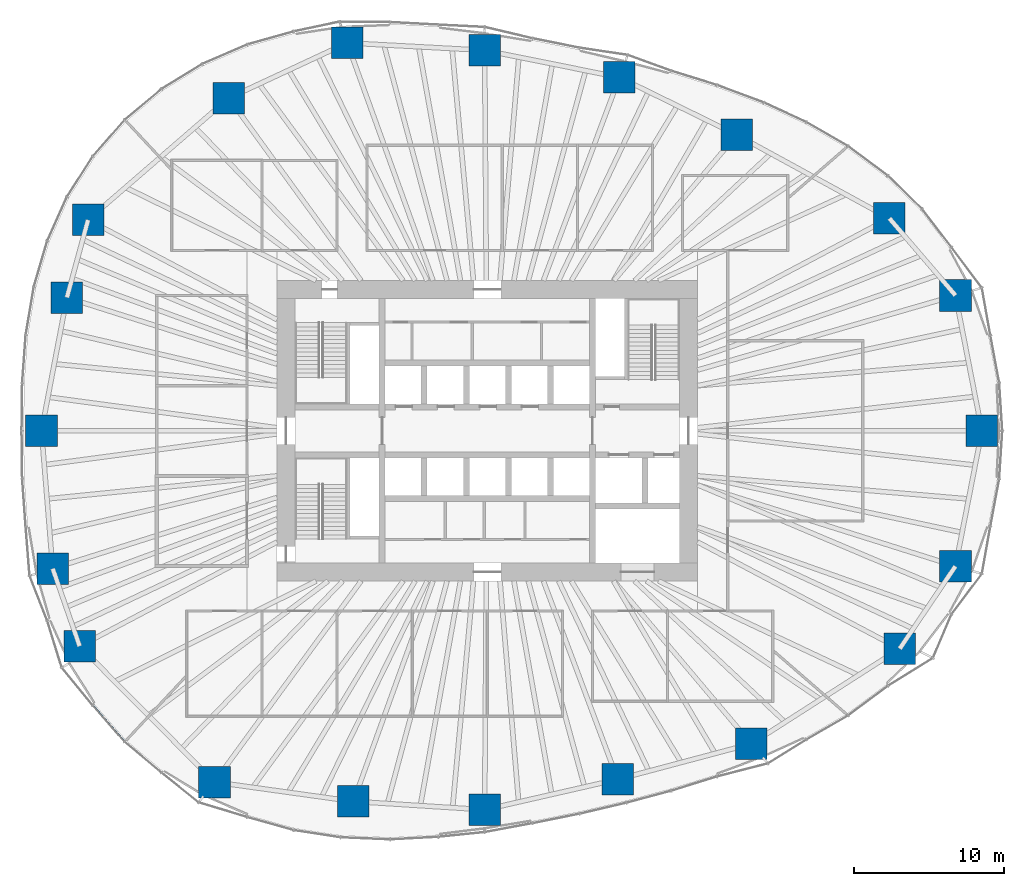
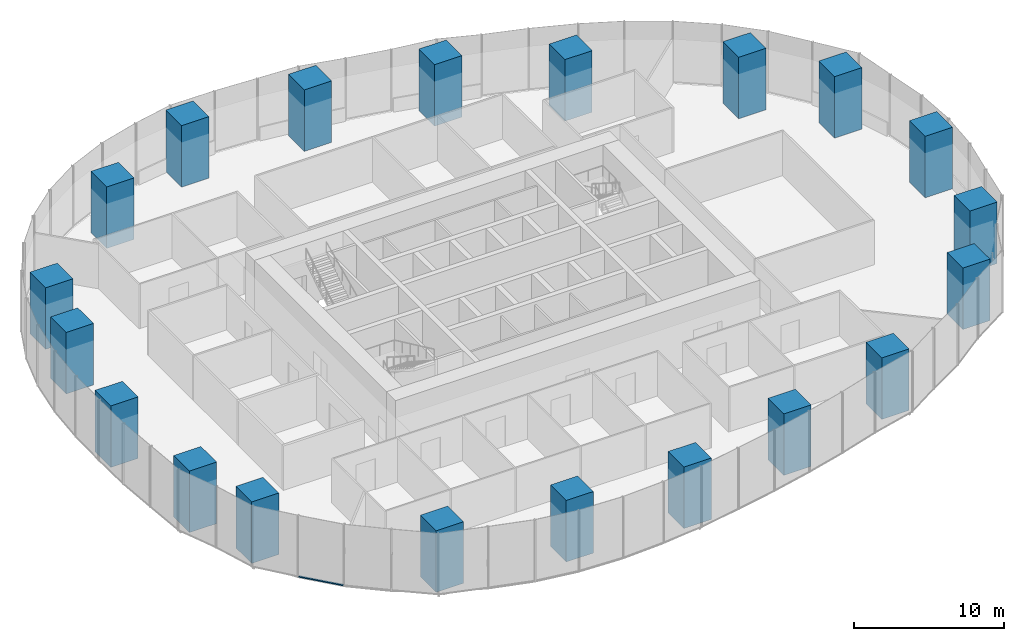
# One storey, part 1 of 20: 20 columns, 1 member, 1 element without a shape of its own.
"""IFC4 building model written with IfcOpenShell, lengths in metres."""

from ifc_helpers import new_model, si_unit, direction, frame, origin, origin_2d, place, context, subcontext, project, spatial, rectangle, extrude, material, material_profile, profile_set, type_object, element, aggregate, save


model = new_model("IFC4")

# Units and contexts
model_context = context("Model", 3, precision=1e-05, world=origin(), true_north=direction((0.0, 1.0)))
body_context = subcontext(model_context, "Body", "Model", "MODEL_VIEW")
ifc_project = project(units=[si_unit("LENGTHUNIT", "METRE"), si_unit("AREAUNIT", "SQUARE_METRE"), si_unit("VOLUMEUNIT", "CUBIC_METRE"), si_unit("PLANEANGLEUNIT", "RADIAN"), si_unit("MASSUNIT", "GRAM", prefix="KILO")], contexts=[model_context])

# Site, building, storey
site_placement = place(None, origin())
site = spatial("IfcSite", under=ifc_project, at=site_placement, CompositionType="ELEMENT")
building_placement = place(site_placement, origin())
building = spatial("IfcBuilding", under=site, at=building_placement, Name="Ghaith Harvest Tower", CompositionType="ELEMENT")
storey_placement = place(building_placement, frame((0.0, 0.0, 50.0)))
storey = spatial("IfcBuildingStorey", under=building, at=storey_placement, Name="L10", CompositionType="ELEMENT", Elevation=50.0)

# Columns
ifc_material_1 = material(Name="Concrete C70/85", Category="concrete")
ifc_material_profile_1 = material_profile(ifc_material_1, rectangle(XDim=2.10009765625, YDim=2.10009765625, at=origin_2d()), Name="RC2100X2100")
ifc_profile_set_1 = profile_set([ifc_material_profile_1], Name="Concrete C70/85")
column_type = type_object("IfcColumnType", Name="TC1 RC2100X2100", PredefinedType="COLUMN", material=ifc_profile_set_1)
for number, where, z_axis, x_axis, name in (
    (1, (32.925048828125, 0.0, 0.0), (0.0, 0.0, 1.0), (1.0, 0.0, 0.0), "Perimeter column C01"),
    (2, (31.166015625, 9.008056640625, 0.0), (0.0, 0.0, 1.0), (1.0, 0.0, 0.0), "Perimeter column C02"),
    (3, (26.763916015625, 14.14697265625, 0.0), (0.0, 0.0, 1.0), (1.0, 0.0, 0.0), "Perimeter column C03"),
    (4, (16.60791015625, 19.695068359375, 0.0), (0.0, 0.0, 1.0), (1.0, 0.0, 0.0), "Perimeter column C04"),
    (5, (8.794921875, 23.527099609375, 0.0), (0.0, 0.0, 1.0), (1.0, 0.0, 0.0), "Perimeter column C05"),
    (6, (-0.173095703125, 25.326904296875, 0.0), (0.0, 0.0, 1.0), (1.0, 0.0, 0.0), "Perimeter column C06"),
    (7, (-9.325927734375, 25.821044921875, 0.0), (0.0, 0.0, 1.0), (1.0, 0.0, 0.0), "Perimeter column C07"),
    (8, (-17.201904296875, 22.14990234375, 0.0), (0.0, 0.0, 1.0), (1.0, 0.0, 0.0), "Perimeter column C08"),
    (9, (-26.572998046875, 14.0458984375, 0.0), (0.0, 0.0, 1.0), (1.0, 0.0, 0.0), "Perimeter column C09"),
    (10, (-27.98291015625, 8.867919921875, 0.0), (0.0, 0.0, 1.0), (1.0, 0.0, 0.0), "Perimeter column C10"),
    (11, (-29.675048828125, 0.0, 0.0), (0.0, 0.0, 1.0), (1.0, 0.0, 0.0), "Perimeter column C11"),
    (12, (-28.929931640625, -9.16796875, 0.0), (0.0, 0.0, 1.0), (1.0, 0.0, 0.0), "Perimeter column C12"),
    (13, (-27.132080078125, -14.341064453125, 0.0), (0.0, 0.0, 1.0), (1.0, 0.0, 0.0), "Perimeter column C13"),
    (14, (-18.157958984375, -23.3798828125, 0.0), (0.0, 0.0, 1.0), (1.0, 0.0, 0.0), "Perimeter column C14"),
    (15, (-8.908935546875, -24.66796875, 0.0), (0.0, 0.0, 1.0), (1.0, 0.0, 0.0), "Perimeter column C15"),
    (16, (-0.173095703125, -25.22412109375, 0.0), (0.0, 0.0, 1.0), (1.0, 0.0, 0.0), "Perimeter column C16"),
    (17, (8.674072265625, -23.202880859375, 0.0), (0.0, 0.0, 1.0), (1.0, 0.0, 0.0), "Perimeter column C17"),
    (18, (17.572021484375, -20.8369140625, 0.0), (0.0, 0.0, 1.0), (1.0, 0.0, 0.0), "Perimeter column C18"),
    (19, (27.448974609375, -14.509033203125, 0.0), (0.0, 0.0, 1.0), (1.0, 0.0, 0.0), "Perimeter column C19"),
    (20, (31.166015625, -9.008056640625, 0.0), (0.0, 0.0, 1.0), (1.0, 0.0, 0.0), "Perimeter column C20"),
):
    element("IfcColumn", number, at=place(storey_placement, frame(where, z_axis=z_axis, x_axis=x_axis)), inside=storey, type_object=column_type, Name=name, PredefinedType="COLUMN", context=body_context, shape_type="SweptSolid", body=[
        extrude(rectangle(XDim=2.10009765625, YDim=2.10009765625, at=origin_2d()), origin(), (0.0, 0.0, 1.0), 5.0),
    ])

# Curtain wall, member
ifc_material_2 = material(Name="Black anodised aluminium and fritted glass", Category="aluminium")
curtain_wall_type = type_object("IfcCurtainWallType", Name="CW-F CURTAIN WALL", PredefinedType="NOTDEFINED", material=ifc_material_2)
curtain_wall_placement = place(storey_placement, origin())
curtain_wall = element("IfcCurtainWall", 21, at=curtain_wall_placement, inside=storey, type_object=curtain_wall_type, Name="Curtain wall CW-F bay 13 L10", PredefinedType="NOTDEFINED")
ifc_material_3 = material(Name="Aluminium, black anodised", Category="aluminium")
ifc_material_profile_2 = material_profile(ifc_material_3, rectangle(XDim=0.139892578125, YDim=0.080078125, at=origin_2d()), Name="CW-F TRANSOM 140x80")
ifc_profile_set_2 = profile_set([ifc_material_profile_2], Name="Aluminium, black anodised")
member_type = type_object("IfcMemberType", Name="CW-F TRANSOM 140x80", PredefinedType="USERDEFINED", material=ifc_profile_set_2)
member_placement = place(storey_placement, frame((-26.23681640625, -18.30419921875, 0.0400390625), z_axis=(0.65923052982, -0.751940894322, 0.0), x_axis=(0.751940894322, 0.65923052982, 0.0)))
member = element("IfcMember", 22, at=member_placement, type_object=member_type, Name="CW-F transom 1 bay 13 L10", ObjectType="TRANSOM", PredefinedType="USERDEFINED", context=body_context, shape_type="SweptSolid", body=[
    extrude(rectangle(XDim=0.139892578125, YDim=0.080078125, at=origin_2d()), origin(), (0.0, 0.0, 1.0), 3.1416015625),
])
aggregate(curtain_wall, [member])

save(model, "model.ifc")
